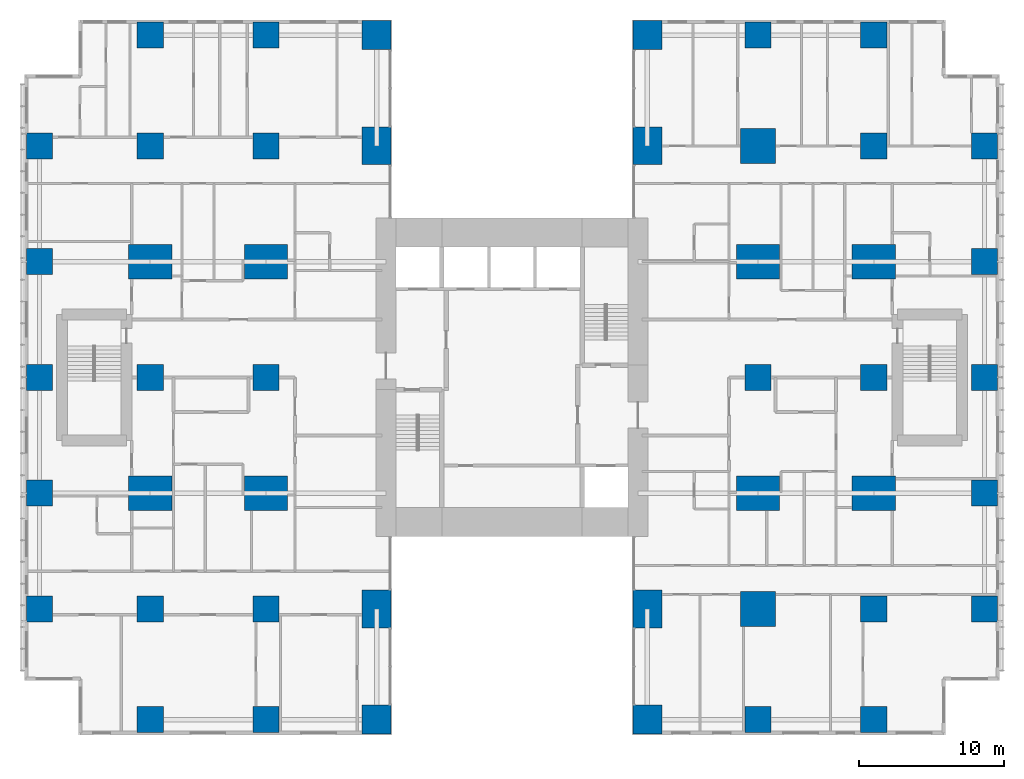
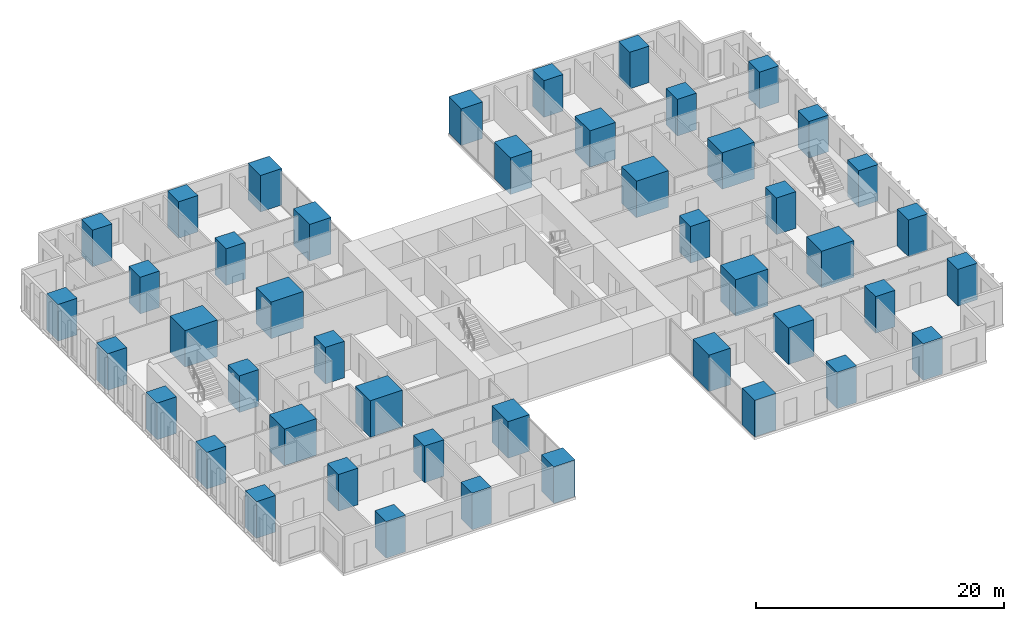
# One storey, part 1 of 20: 46 columns.
"""IFC4 building model written with IfcOpenShell, lengths in metres."""

from ifc_helpers import new_model, si_unit, direction, frame, origin, origin_2d, place, context, subcontext, project, spatial, rectangle, extrude, material, material_profile, profile_set, type_object, element, save


model = new_model("IFC4")

# Units and contexts
model_context = context("Model", 3, precision=1e-05, world=origin(), true_north=direction((0.0, 1.0)))
body_context = subcontext(model_context, "Body", "Model", "MODEL_VIEW")
ifc_project = project(units=[si_unit("LENGTHUNIT", "METRE"), si_unit("AREAUNIT", "SQUARE_METRE"), si_unit("VOLUMEUNIT", "CUBIC_METRE"), si_unit("PLANEANGLEUNIT", "RADIAN"), si_unit("MASSUNIT", "GRAM", prefix="KILO")], contexts=[model_context])

# Site, building, storey
site_placement = place(None, origin())
site = spatial("IfcSite", under=ifc_project, at=site_placement, CompositionType="ELEMENT")
building_placement = place(site_placement, origin())
building = spatial("IfcBuilding", under=site, at=building_placement, Name="Cleftline Residences", CompositionType="ELEMENT")
storey_placement = place(building_placement, frame((0.0, 0.0, 211.0)))
storey = spatial("IfcBuildingStorey", under=building, at=storey_placement, Name="L55", CompositionType="ELEMENT", Elevation=211.0)

# Columns
ifc_material_1 = material(Name="Concrete B70", Category="concrete")
ifc_material_profile_1 = material_profile(ifc_material_1, rectangle(XDim=1.800048828125, YDim=1.800048828125, at=origin_2d()))
ifc_profile_set_1 = profile_set([ifc_material_profile_1], Name="Concrete B70")
column_type_1 = type_object("IfcColumnType", Name="COLUMN RC1800X1800", PredefinedType="COLUMN", material=ifc_profile_set_1)
for number, where, z_axis, x_axis, name in (
    (1, (0.35009765625, 8.0, 0.0), (0.0, 0.0, 1.0), (1.0, 0.0, 0.0), "Column D/3"),
    (2, (0.35009765625, 16.0, 0.0), (0.0, 0.0, 1.0), (1.0, 0.0, 0.0), "Column E/3"),
    (3, (0.35009765625, 24.0, 0.0), (0.0, 0.0, 1.0), (1.0, 0.0, 0.0), "Column F/3"),
    (4, (0.35009765625, 32.0, 0.0), (0.0, 0.0, 1.0), (1.0, 0.0, 0.0), "Column G/3"),
    (5, (0.35009765625, 40.0, 0.0), (0.0, 0.0, 1.0), (1.0, 0.0, 0.0), "Column H/3"),
    (6, (8.0, 0.35009765625, 0.0), (0.0, 0.0, 1.0), (1.0, 0.0, 0.0), "Column C/4"),
    (7, (8.0, 8.0, 0.0), (0.0, 0.0, 1.0), (1.0, 0.0, 0.0), "Column D/4"),
    (8, (8.0, 24.0, 0.0), (0.0, 0.0, 1.0), (1.0, 0.0, 0.0), "Column F/4"),
    (9, (8.0, 40.0, 0.0), (0.0, 0.0, 1.0), (1.0, 0.0, 0.0), "Column H/4"),
    (10, (8.0, 47.64990234375, 0.0), (0.0, 0.0, 1.0), (1.0, 0.0, 0.0), "Column J/4"),
    (11, (16.0, 0.35009765625, 0.0), (0.0, 0.0, 1.0), (1.0, 0.0, 0.0), "Column C/5"),
    (12, (16.0, 8.0, 0.0), (0.0, 0.0, 1.0), (1.0, 0.0, 0.0), "Column D/5"),
    (13, (16.0, 24.0, 0.0), (0.0, 0.0, 1.0), (1.0, 0.0, 0.0), "Column F/5"),
    (14, (16.0, 40.0, 0.0), (0.0, 0.0, 1.0), (1.0, 0.0, 0.0), "Column H/5"),
    (15, (16.0, 47.64990234375, 0.0), (0.0, 0.0, 1.0), (1.0, 0.0, 0.0), "Column J/5"),
    (16, (50.0, 0.35009765625, 0.0), (0.0, 0.0, 1.0), (1.0, 0.0, 0.0), "Column C/9"),
    (17, (50.0, 24.0, 0.0), (0.0, 0.0, 1.0), (1.0, 0.0, 0.0), "Column F/9"),
    (18, (50.0, 47.64990234375, 0.0), (0.0, 0.0, 1.0), (1.0, 0.0, 0.0), "Column J/9"),
    (19, (58.0, 0.35009765625, 0.0), (0.0, 0.0, 1.0), (1.0, 0.0, 0.0), "Column C/10"),
    (20, (58.0, 8.0, 0.0), (0.0, 0.0, 1.0), (1.0, 0.0, 0.0), "Column D/10"),
    (21, (58.0, 24.0, 0.0), (0.0, 0.0, 1.0), (1.0, 0.0, 0.0), "Column F/10"),
    (22, (58.0, 40.0, 0.0), (0.0, 0.0, 1.0), (1.0, 0.0, 0.0), "Column H/10"),
    (23, (58.0, 47.64990234375, 0.0), (0.0, 0.0, 1.0), (1.0, 0.0, 0.0), "Column J/10"),
    (24, (65.64990234375, 8.0, 0.0), (0.0, 0.0, 1.0), (1.0, 0.0, 0.0), "Column D/11"),
    (25, (65.64990234375, 16.0, 0.0), (0.0, 0.0, 1.0), (1.0, 0.0, 0.0), "Column E/11"),
    (26, (65.64990234375, 24.0, 0.0), (0.0, 0.0, 1.0), (1.0, 0.0, 0.0), "Column F/11"),
    (27, (65.64990234375, 32.0, 0.0), (0.0, 0.0, 1.0), (1.0, 0.0, 0.0), "Column G/11"),
    (28, (65.64990234375, 40.0, 0.0), (0.0, 0.0, 1.0), (1.0, 0.0, 0.0), "Column H/11"),
):
    element("IfcColumn", number, at=place(storey_placement, frame(where, z_axis=z_axis, x_axis=x_axis)), inside=storey, type_object=column_type_1, Name=name, PredefinedType="COLUMN", context=body_context, shape_type="SweptSolid", body=[
        extrude(rectangle(XDim=1.800048828125, YDim=1.800048828125, at=origin_2d()), origin(), (0.0, 0.0, 1.0), 3.60009765625),
    ])
ifc_material_2 = material(Name="Concrete B70", Category="concrete")
ifc_material_profile_2 = material_profile(ifc_material_2, rectangle(XDim=2.0, YDim=2.0, at=origin_2d()))
ifc_profile_set_2 = profile_set([ifc_material_profile_2], Name="Concrete B70")
column_type_2 = type_object("IfcColumnType", Name="COLUMN RC2000X2000", PredefinedType="COLUMN", material=ifc_profile_set_2)
for number, where, z_axis, x_axis, name in (
    (29, (23.64990234375, 0.35009765625, 0.0), (0.0, 0.0, 1.0), (1.0, 0.0, 0.0), "Column C/6"),
    (30, (23.64990234375, 47.64990234375, 0.0), (0.0, 0.0, 1.0), (1.0, 0.0, 0.0), "Column J/6"),
    (31, (42.35009765625, 0.35009765625, 0.0), (0.0, 0.0, 1.0), (1.0, 0.0, 0.0), "Column C/8"),
    (32, (42.35009765625, 47.64990234375, 0.0), (0.0, 0.0, 1.0), (1.0, 0.0, 0.0), "Column J/8"),
):
    element("IfcColumn", number, at=place(storey_placement, frame(where, z_axis=z_axis, x_axis=x_axis)), inside=storey, type_object=column_type_2, Name=name, PredefinedType="COLUMN", context=body_context, shape_type="SweptSolid", body=[
        extrude(rectangle(XDim=2.0, YDim=2.0, at=origin_2d()), origin(), (0.0, 0.0, 1.0), 3.60009765625),
    ])
ifc_material_3 = material(Name="Concrete B70", Category="concrete")
ifc_material_profile_3 = material_profile(ifc_material_3, rectangle(XDim=2.0, YDim=2.60009765625, at=origin_2d()))
ifc_profile_set_3 = profile_set([ifc_material_profile_3], Name="Concrete B70")
column_type_3 = type_object("IfcColumnType", Name="COLUMN RC2000X2600", PredefinedType="COLUMN", material=ifc_profile_set_3)
for number, where, z_axis, x_axis, name in (
    (33, (23.64990234375, 8.0, 0.0), (0.0, 0.0, 1.0), (1.0, 0.0, 0.0), "Column D/6"),
    (34, (23.64990234375, 40.0, 0.0), (0.0, 0.0, 1.0), (1.0, 0.0, 0.0), "Column H/6"),
    (35, (42.35009765625, 8.0, 0.0), (0.0, 0.0, 1.0), (1.0, 0.0, 0.0), "Column D/8"),
    (36, (42.35009765625, 40.0, 0.0), (0.0, 0.0, 1.0), (1.0, 0.0, 0.0), "Column H/8"),
):
    element("IfcColumn", number, at=place(storey_placement, frame(where, z_axis=z_axis, x_axis=x_axis)), inside=storey, type_object=column_type_3, Name=name, PredefinedType="COLUMN", context=body_context, shape_type="SweptSolid", body=[
        extrude(rectangle(XDim=2.0, YDim=2.60009765625, at=origin_2d()), origin(), (0.0, 0.0, 1.0), 3.60009765625),
    ])
ifc_material_4 = material(Name="Concrete B70", Category="concrete")
ifc_material_profile_4 = material_profile(ifc_material_4, rectangle(XDim=2.39990234375, YDim=2.39990234375, at=origin_2d()))
ifc_profile_set_4 = profile_set([ifc_material_profile_4], Name="Concrete B70")
column_type_4 = type_object("IfcColumnType", Name="COLUMN RC2400X2400", PredefinedType="COLUMN", material=ifc_profile_set_4)
for number, where, z_axis, x_axis, name in (
    (37, (50.0, 8.0, 0.0), (0.0, 0.0, 1.0), (1.0, 0.0, 0.0), "Column D/9"),
    (38, (50.0, 40.0, 0.0), (0.0, 0.0, 1.0), (1.0, 0.0, 0.0), "Column H/9"),
):
    element("IfcColumn", number, at=place(storey_placement, frame(where, z_axis=z_axis, x_axis=x_axis)), inside=storey, type_object=column_type_4, Name=name, PredefinedType="COLUMN", context=body_context, shape_type="SweptSolid", body=[
        extrude(rectangle(XDim=2.39990234375, YDim=2.39990234375, at=origin_2d()), origin(), (0.0, 0.0, 1.0), 3.60009765625),
    ])
ifc_material_5 = material(Name="Concrete B70", Category="concrete")
ifc_material_profile_5 = material_profile(ifc_material_5, rectangle(XDim=3.0, YDim=2.39990234375, at=origin_2d()))
ifc_profile_set_5 = profile_set([ifc_material_profile_5], Name="Concrete B70")
column_type_5 = type_object("IfcColumnType", Name="COLUMN RC3000X2400", PredefinedType="COLUMN", material=ifc_profile_set_5)
for number, where, z_axis, x_axis, name in (
    (39, (8.0, 16.0, 0.0), (0.0, 0.0, 1.0), (1.0, 0.0, 0.0), "Column E/4"),
    (40, (8.0, 32.0, 0.0), (0.0, 0.0, 1.0), (1.0, 0.0, 0.0), "Column G/4"),
    (41, (16.0, 16.0, 0.0), (0.0, 0.0, 1.0), (1.0, 0.0, 0.0), "Column E/5"),
    (42, (16.0, 32.0, 0.0), (0.0, 0.0, 1.0), (1.0, 0.0, 0.0), "Column G/5"),
    (43, (50.0, 16.0, 0.0), (0.0, 0.0, 1.0), (1.0, 0.0, 0.0), "Column E/9"),
    (44, (50.0, 32.0, 0.0), (0.0, 0.0, 1.0), (1.0, 0.0, 0.0), "Column G/9"),
    (45, (58.0, 16.0, 0.0), (0.0, 0.0, 1.0), (1.0, 0.0, 0.0), "Column E/10"),
    (46, (58.0, 32.0, 0.0), (0.0, 0.0, 1.0), (1.0, 0.0, 0.0), "Column G/10"),
):
    element("IfcColumn", number, at=place(storey_placement, frame(where, z_axis=z_axis, x_axis=x_axis)), inside=storey, type_object=column_type_5, Name=name, PredefinedType="COLUMN", context=body_context, shape_type="SweptSolid", body=[
        extrude(rectangle(XDim=3.0, YDim=2.39990234375, at=origin_2d()), origin(), (0.0, 0.0, 1.0), 3.60009765625),
    ])

save(model, "model.ifc")
